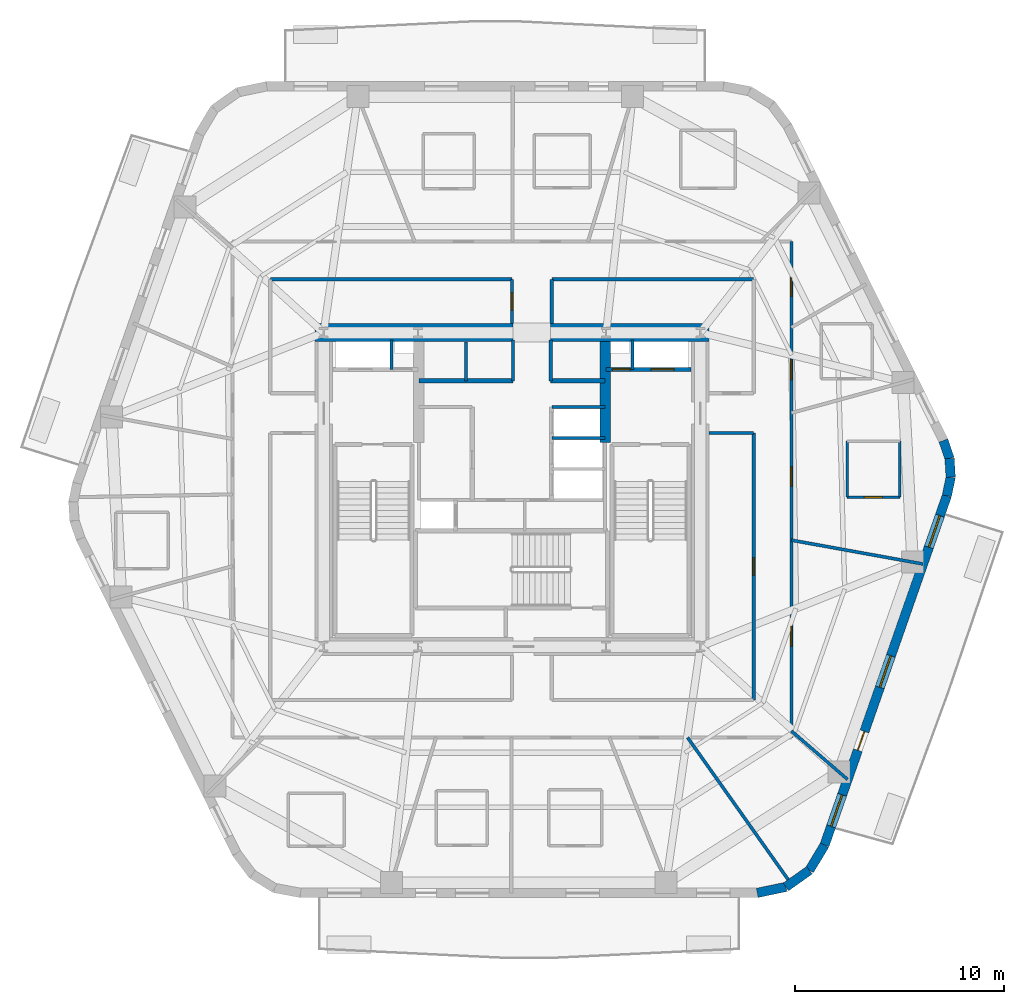
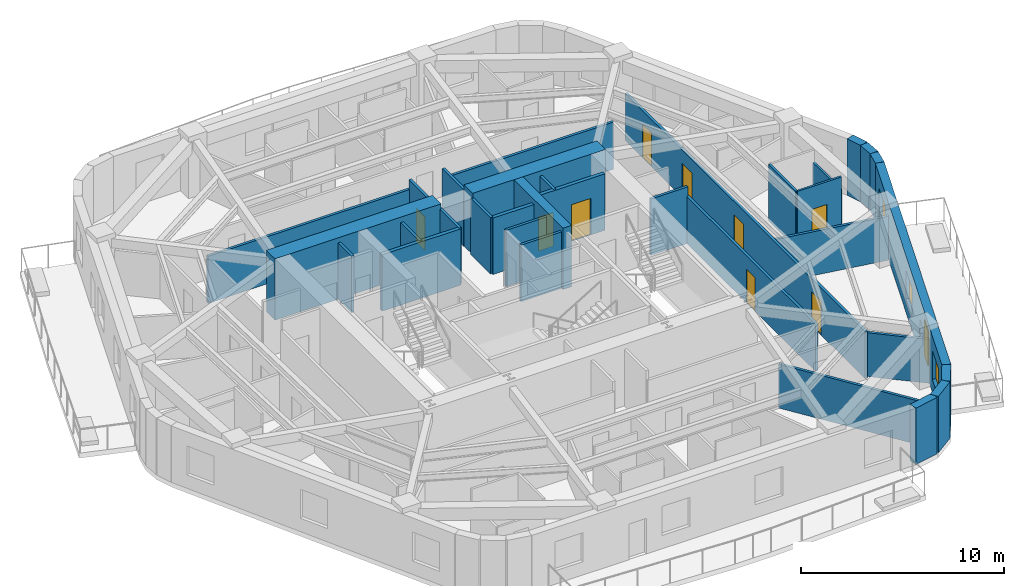
# One storey, part 5 of 11: 33 walls, 10 doors, 3 windows, 13 openings.
"""IFC4 building model written with IfcOpenShell, lengths in metres."""

from ifc_helpers import new_model, si_unit, direction, frame, frame_2d, origin, place, context, subcontext, project, spatial, rectangle, extrude, material, layer, layer_set, type_object, element, fill, save


model = new_model("IFC4")

# Units and contexts
model_context = context("Model", 3, precision=1e-05, world=origin(), true_north=direction((0.0, 1.0)))
body_context = subcontext(model_context, "Body", "Model", "MODEL_VIEW")
ifc_project = project(units=[si_unit("LENGTHUNIT", "METRE"), si_unit("AREAUNIT", "SQUARE_METRE"), si_unit("VOLUMEUNIT", "CUBIC_METRE"), si_unit("PLANEANGLEUNIT", "RADIAN"), si_unit("MASSUNIT", "GRAM", prefix="KILO")], contexts=[model_context])

# Site, building, storey
site_placement = place(None, origin())
site = spatial("IfcSite", under=ifc_project, at=site_placement, CompositionType="ELEMENT")
building_placement = place(site_placement, origin())
building = spatial("IfcBuilding", under=site, at=building_placement, Name="Kilnhurst Terrace Hotel", CompositionType="ELEMENT")
storey_placement = place(building_placement, frame((0.0, 0.0, 159.10009765625)))
storey = spatial("IfcBuildingStorey", under=building, at=storey_placement, Name="L39", CompositionType="ELEMENT", Elevation=159.10009765625)

# Walls
ifc_material_1 = material(Name="Precast concrete C40/50", Category="concrete")
ifc_layer_1 = layer(ifc_material_1, 0.449951171875, Name="Precast concrete C40/50")
ifc_layer_set_1 = layer_set([ifc_layer_1], Name="Precast concrete C40/50")
wall_type_1 = type_object("IfcWallType", Name="WL-BRK-450", PredefinedType="SOLIDWALL", material=ifc_layer_set_1)
wall_1_placement = place(storey_placement, frame((11.720458984375, -19.27490234375, 0.0), z_axis=(0.0, 0.0, 1.0), x_axis=(0.97893106758, 0.204191001093, 0.0)))
element("IfcWall", 1, at=wall_1_placement, inside=storey, type_object=wall_type_1, Name="L39 Rounded Corner Brick Wall C2.1", PredefinedType="SOLIDWALL", context=body_context, shape_type="SweptSolid", body=[
    extrude(rectangle(XDim=1.400146484375, YDim=0.449951171875, at=frame_2d((0.7001953125, 0.0))), origin(), (0.0, 0.0, 1.0), 3.39990234375),
])
wall_2_placement = place(storey_placement, frame((13.091064453125, -18.989013671875, 0.0), z_axis=(0.0, 0.0, 1.0), x_axis=(0.815574637848, 0.578651890258, 0.0)))
element("IfcWall", 2, at=wall_2_placement, inside=storey, type_object=wall_type_1, Name="L39 Rounded Corner Brick Wall C2.2", PredefinedType="SOLIDWALL", context=body_context, shape_type="SweptSolid", body=[
    extrude(rectangle(XDim=1.376708984375, YDim=0.449951171875, at=frame_2d((0.6884765625, 0.0))), origin(), (0.0, 0.0, 1.0), 3.39990234375),
])
wall_3_placement = place(storey_placement, frame((14.2138671875, -18.1923828125, 0.0), z_axis=(0.0, 0.0, 1.0), x_axis=(0.516340945502, 0.856383108193, 0.0)))
element("IfcWall", 3, at=wall_3_placement, inside=storey, type_object=wall_type_1, Name="L39 Rounded Corner Brick Wall C2.3", PredefinedType="SOLIDWALL", context=body_context, shape_type="SweptSolid", body=[
    extrude(rectangle(XDim=1.400146484375, YDim=0.449951171875, at=frame_2d((0.7001953125, 0.0))), origin(), (0.0, 0.0, 1.0), 3.39990234375),
])
wall_4_placement = place(storey_placement, frame((20.78173828125, -0.298095703125, 0.0), z_axis=(0.0, 0.0, 1.0), x_axis=(0.202570068411, 0.979267771033, 0.0)))
element("IfcWall", 4, at=wall_4_placement, inside=storey, type_object=wall_type_1, Name="L39 Rounded Corner Brick Wall C3.1", PredefinedType="SOLIDWALL", context=body_context, shape_type="SweptSolid", body=[
    extrude(rectangle(XDim=0.90869140625, YDim=0.449951171875, at=frame_2d((0.454345703125, 0.0))), origin(), (0.0, 0.0, 1.0), 3.39990234375),
])
wall_5_placement = place(storey_placement, frame((20.9658203125, 0.591796875, 0.0), z_axis=(0.0, 0.0, 1.0), x_axis=(-0.061748898935, 0.998091715966, 0.0)))
element("IfcWall", 5, at=wall_5_placement, inside=storey, type_object=wall_type_1, Name="L39 Rounded Corner Brick Wall C3.2", PredefinedType="SOLIDWALL", context=body_context, shape_type="SweptSolid", body=[
    extrude(rectangle(XDim=0.8935546875, YDim=0.449951171875, at=frame_2d((0.44677734375, 0.0))), origin(), (0.0, 0.0, 1.0), 3.39990234375),
])
wall_6_placement = place(storey_placement, frame((20.91064453125, 1.483642578125, 0.0), z_axis=(0.0, 0.0, 1.0), x_axis=(-0.321623334353, 0.946867694453, 0.0)))
element("IfcWall", 6, at=wall_6_placement, inside=storey, type_object=wall_type_1, Name="L39 Rounded Corner Brick Wall C3.3", PredefinedType="SOLIDWALL", context=body_context, shape_type="SweptSolid", body=[
    extrude(rectangle(XDim=0.90869140625, YDim=0.449951171875, at=frame_2d((0.454345703125, 0.0))), origin(), (0.0, 0.0, 1.0), 3.39990234375),
])

# Wall, openings, door, windows
wall_7_placement = place(storey_placement, frame((14.936767578125, -16.993408203125, 0.0), z_axis=(0.0, 0.0, 1.0), x_axis=(0.330431575061, 0.943829949834, 0.0)))
wall_7 = element("IfcWall", 7, at=wall_7_placement, inside=storey, type_object=wall_type_1, Name="L39 Exterior Brick Facade Wall F2", PredefinedType="SOLIDWALL", context=body_context, shape_type="SweptSolid", body=[
    extrude(rectangle(XDim=17.68896484375, YDim=0.449951171875, at=frame_2d((8.844482421875, 0.0))), origin(), (0.0, 0.0, 1.0), 3.39990234375),
])
opening_1_placement = place(wall_7_placement, frame((4.806884765625, 0.0, 0.0)))
opening_1 = element("IfcOpeningElement", 8, at=opening_1_placement, cuts=wall_7, Name="Opening BD-950", PredefinedType="OPENING", context=body_context, shape_type="SweptSolid", body=[
    extrude(rectangle(XDim=0.949951171875, YDim=2.14990234375, at=frame_2d((0.47509765625, 1.074951171875))), frame((0.0, 0.23486328125, 0.0), z_axis=(0.0, -1.0, 0.0), x_axis=(1.0, 0.0, 0.0)), (0.0, 0.0, 1.0), 0.469970703125),
])
opening_2_placement = place(wall_7_placement, frame((0.949951171875, 0.0, 0.800048828125)))
opening_2 = element("IfcOpeningElement", 9, at=opening_2_placement, cuts=wall_7, Name="Opening W-05", PredefinedType="OPENING", context=body_context, shape_type="SweptSolid", body=[
    extrude(rectangle(XDim=1.60009765625, YDim=1.75, at=frame_2d((0.800048828125, 0.875))), frame((0.0, 0.23486328125, 0.0), z_axis=(0.0, -1.0, 0.0), x_axis=(1.0, 0.0, 0.0)), (0.0, 0.0, 1.0), 0.469970703125),
])
opening_3_placement = place(wall_7_placement, frame((7.989990234375, 0.0, 0.800048828125)))
opening_3 = element("IfcOpeningElement", 10, at=opening_3_placement, cuts=wall_7, Name="Opening W-05", PredefinedType="OPENING", context=body_context, shape_type="SweptSolid", body=[
    extrude(rectangle(XDim=1.60009765625, YDim=1.75, at=frame_2d((0.800048828125, 0.875))), frame((0.0, 0.23486328125, 0.0), z_axis=(0.0, -1.0, 0.0), x_axis=(1.0, 0.0, 0.0)), (0.0, 0.0, 1.0), 0.469970703125),
])
opening_4_placement = place(wall_7_placement, frame((15.083984375, 0.0, 0.800048828125)))
opening_4 = element("IfcOpeningElement", 11, at=opening_4_placement, cuts=wall_7, Name="Opening W-05", PredefinedType="OPENING", context=body_context, shape_type="SweptSolid", body=[
    extrude(rectangle(XDim=1.60009765625, YDim=1.75, at=frame_2d((0.800048828125, 0.875))), frame((0.0, 0.23486328125, 0.0), z_axis=(0.0, -1.0, 0.0), x_axis=(1.0, 0.0, 0.0)), (0.0, 0.0, 1.0), 0.469970703125),
])
ifc_material_2 = material(Name="Thermally Broken Bronze Aluminium Alloy 6063-T6 and Laminated Glass", Category="aluminium")
door_type_1 = type_object("IfcDoorType", Name="DR-EXT-BAL-950", OperationType="NOTDEFINED", PredefinedType="DOOR", material=ifc_material_2)
door_1_placement = place(opening_1_placement, origin())
door_1 = element("IfcDoor", 12, at=door_1_placement, inside=storey, type_object=door_type_1, Name="L39 Planted Balcony Door BAL-L1B", OperationType="SINGLE_SWING_RIGHT", OverallHeight=2.14990234375, OverallWidth=0.949951171875, PredefinedType="DOOR", context=body_context, shape_type="SweptSolid", body=[
    extrude(rectangle(XDim=0.949951171875, YDim=2.14990234375, at=frame_2d((0.47509765625, 1.074951171875))), frame((0.0, 0.02490234375, 0.0), z_axis=(0.0, -1.0, 0.0), x_axis=(1.0, 0.0, 0.0)), (0.0, 0.0, 1.0), 0.050048828125),
])
fill(opening_1, door_1)
ifc_material_3 = material(Name="Thermally Broken Bronze Aluminium Alloy 6063-T6 and Low-E Glass", Category="aluminium")
window_type = type_object("IfcWindowType", Name="WIN-1600X1750", PartitioningType="SINGLE_PANEL", PredefinedType="WINDOW", material=ifc_material_3)
window_1_placement = place(opening_2_placement, origin())
window_1 = element("IfcWindow", 13, at=window_1_placement, inside=storey, type_object=window_type, Name="L39 Deep-Set Masonry Window F2.1", OverallHeight=1.75, OverallWidth=1.60009765625, PartitioningType="SINGLE_PANEL", PredefinedType="WINDOW", context=body_context, shape_type="SweptSolid", body=[
    extrude(rectangle(XDim=1.60009765625, YDim=1.75, at=frame_2d((0.800048828125, 0.875))), frame((0.0, 0.030029296875, 0.0), z_axis=(0.0, -1.0, 0.0), x_axis=(1.0, 0.0, 0.0)), (0.0, 0.0, 1.0), 0.06005859375),
])
fill(opening_2, window_1)
window_2_placement = place(opening_3_placement, origin())
window_2 = element("IfcWindow", 14, at=window_2_placement, inside=storey, type_object=window_type, Name="L39 Deep-Set Masonry Window F2.2", OverallHeight=1.75, OverallWidth=1.60009765625, PartitioningType="SINGLE_PANEL", PredefinedType="WINDOW", context=body_context, shape_type="SweptSolid", body=[
    extrude(rectangle(XDim=1.60009765625, YDim=1.75, at=frame_2d((0.800048828125, 0.875))), frame((0.0, 0.030029296875, 0.0), z_axis=(0.0, -1.0, 0.0), x_axis=(1.0, 0.0, 0.0)), (0.0, 0.0, 1.0), 0.06005859375),
])
fill(opening_3, window_2)
window_3_placement = place(opening_4_placement, origin())
window_3 = element("IfcWindow", 15, at=window_3_placement, inside=storey, type_object=window_type, Name="L39 Deep-Set Masonry Window F2.3", OverallHeight=1.75, OverallWidth=1.60009765625, PartitioningType="SINGLE_PANEL", PredefinedType="WINDOW", context=body_context, shape_type="SweptSolid", body=[
    extrude(rectangle(XDim=1.60009765625, YDim=1.75, at=frame_2d((0.800048828125, 0.875))), frame((0.0, 0.030029296875, 0.0), z_axis=(0.0, -1.0, 0.0), x_axis=(1.0, 0.0, 0.0)), (0.0, 0.0, 1.0), 0.06005859375),
])
fill(opening_4, window_3)

# Wall, openings, doors
ifc_material_4 = material(Name="Acoustic Double-Gypsum Corridor Partition Assembly")
ifc_layer_2 = layer(ifc_material_4, 0.14990234375, Name="Acoustic Double-Gypsum Corridor Partition Assembly")
ifc_layer_set_2 = layer_set([ifc_layer_2], Name="Acoustic Double-Gypsum Corridor Partition Assembly")
wall_type_2 = type_object("IfcWallType", Name="WL-COR-150", PredefinedType="PARTITIONING", material=ifc_layer_set_2)
wall_8_placement = place(storey_placement, frame((13.35009765625, 11.85009765625, 0.0), z_axis=(0.0, 0.0, 1.0), x_axis=(0.0, -1.0, 0.0)))
wall_8 = element("IfcWall", 16, at=wall_8_placement, inside=storey, type_object=wall_type_2, Name="L39 Interior Wall WL-L39-COR-04", PredefinedType="PARTITIONING", context=body_context, shape_type="SweptSolid", body=[
    extrude(rectangle(XDim=23.7001953125, YDim=0.14990234375, at=frame_2d((11.85009765625, 0.0))), origin(), (0.0, 0.0, 1.0), 2.83984375),
])
opening_5_placement = place(wall_8_placement, frame((5.652099609375, 0.0, 0.0)))
opening_5 = element("IfcOpeningElement", 17, at=opening_5_placement, cuts=wall_8, Name="Opening D-60B", PredefinedType="OPENING", context=body_context, shape_type="SweptSolid", body=[
    extrude(rectangle(XDim=0.949951171875, YDim=2.030029296875, at=frame_2d((0.47509765625, 1.01513671875))), frame((0.0, 0.0849609375, 0.0), z_axis=(0.0, -1.0, 0.0), x_axis=(1.0, 0.0, 0.0)), (0.0, 0.0, 1.0), 0.169921875),
])
opening_6_placement = place(wall_8_placement, frame((1.720947265625, 0.0, 0.0)))
opening_6 = element("IfcOpeningElement", 18, at=opening_6_placement, cuts=wall_8, Name="Opening D-60C", PredefinedType="OPENING", context=body_context, shape_type="SweptSolid", body=[
    extrude(rectangle(XDim=0.89990234375, YDim=2.030029296875, at=frame_2d((0.449951171875, 1.01513671875))), frame((0.0, 0.0849609375, 0.0), z_axis=(0.0, -1.0, 0.0), x_axis=(1.0, 0.0, 0.0)), (0.0, 0.0, 1.0), 0.169921875),
])
opening_7_placement = place(wall_8_placement, frame((18.388916015625, 0.0, 0.0)))
opening_7 = element("IfcOpeningElement", 19, at=opening_7_placement, cuts=wall_8, Name="Opening D-60B", PredefinedType="OPENING", context=body_context, shape_type="SweptSolid", body=[
    extrude(rectangle(XDim=0.949951171875, YDim=2.030029296875, at=frame_2d((0.47509765625, 1.01513671875))), frame((0.0, 0.0849609375, 0.0), z_axis=(0.0, -1.0, 0.0), x_axis=(1.0, 0.0, 0.0)), (0.0, 0.0, 1.0), 0.169921875),
])
opening_8_placement = place(wall_8_placement, frame((10.7509765625, 0.0, 0.0)))
opening_8 = element("IfcOpeningElement", 20, at=opening_8_placement, cuts=wall_8, Name="Opening D-60B", PredefinedType="OPENING", context=body_context, shape_type="SweptSolid", body=[
    extrude(rectangle(XDim=0.949951171875, YDim=2.030029296875, at=frame_2d((0.47509765625, 1.01513671875))), frame((0.0, 0.0849609375, 0.0), z_axis=(0.0, -1.0, 0.0), x_axis=(1.0, 0.0, 0.0)), (0.0, 0.0, 1.0), 0.169921875),
])
ifc_material_5 = material(Name="Painted Solid-Core Service Fire Door")
door_type_2 = type_object("IfcDoorType", Name="DR-FD60-900", OperationType="NOTDEFINED", PredefinedType="DOOR", material=ifc_material_5)
door_2_placement = place(opening_6_placement, origin())
door_2 = element("IfcDoor", 21, at=door_2_placement, inside=storey, type_object=door_type_2, Name="L39 Private Study Salon Door 2", OperationType="SINGLE_SWING_RIGHT", OverallHeight=2.030029296875, OverallWidth=0.89990234375, PredefinedType="DOOR", context=body_context, shape_type="SweptSolid", body=[
    extrude(rectangle(XDim=0.89990234375, YDim=2.030029296875, at=frame_2d((0.449951171875, 1.01513671875))), frame((0.0, 0.02490234375, 0.0), z_axis=(0.0, -1.0, 0.0), x_axis=(1.0, 0.0, 0.0)), (0.0, 0.0, 1.0), 0.050048828125),
])
fill(opening_6, door_2)
ifc_material_6 = material(Name="Acoustic Walnut Veneer Solid-Core Fire Door")
door_type_3 = type_object("IfcDoorType", Name="DR-FD60-950", OperationType="NOTDEFINED", PredefinedType="DOOR", material=ifc_material_6)
door_3_placement = place(opening_5_placement, origin())
door_3 = element("IfcDoor", 22, at=door_3_placement, inside=storey, type_object=door_type_3, Name="L39 Guest Room Entry Door 1", OperationType="SINGLE_SWING_LEFT", OverallHeight=2.030029296875, OverallWidth=0.949951171875, PredefinedType="DOOR", context=body_context, shape_type="SweptSolid", body=[
    extrude(rectangle(XDim=0.949951171875, YDim=2.030029296875, at=frame_2d((0.47509765625, 1.01513671875))), frame((0.0, 0.02490234375, 0.0), z_axis=(0.0, -1.0, 0.0), x_axis=(1.0, 0.0, 0.0)), (0.0, 0.0, 1.0), 0.050048828125),
])
fill(opening_5, door_3)
door_4_placement = place(opening_7_placement, origin())
door_4 = element("IfcDoor", 23, at=door_4_placement, inside=storey, type_object=door_type_3, Name="L39 Executive Office Door", OperationType="SINGLE_SWING_LEFT", OverallHeight=2.030029296875, OverallWidth=0.949951171875, PredefinedType="DOOR", context=body_context, shape_type="SweptSolid", body=[
    extrude(rectangle(XDim=0.949951171875, YDim=2.030029296875, at=frame_2d((0.47509765625, 1.01513671875))), frame((0.0, 0.02490234375, 0.0), z_axis=(0.0, -1.0, 0.0), x_axis=(1.0, 0.0, 0.0)), (0.0, 0.0, 1.0), 0.050048828125),
])
fill(opening_7, door_4)
door_5_placement = place(opening_8_placement, origin())
door_5 = element("IfcDoor", 24, at=door_5_placement, inside=storey, type_object=door_type_3, Name="L39 Guest Room Entry Door 18", OperationType="SINGLE_SWING_RIGHT", OverallHeight=2.030029296875, OverallWidth=0.949951171875, PredefinedType="DOOR", context=body_context, shape_type="SweptSolid", body=[
    extrude(rectangle(XDim=0.949951171875, YDim=2.030029296875, at=frame_2d((0.47509765625, 1.01513671875))), frame((0.0, 0.02490234375, 0.0), z_axis=(0.0, -1.0, 0.0), x_axis=(1.0, 0.0, 0.0)), (0.0, 0.0, 1.0), 0.050048828125),
])
fill(opening_8, door_5)

# Wall, opening, door
wall_9_placement = place(storey_placement, frame((11.550048828125, -10.050048828125, 0.0), z_axis=(0.0, 0.0, 1.0), x_axis=(0.0, 1.0, 0.0)))
wall_9 = element("IfcWall", 25, at=wall_9_placement, inside=storey, type_object=wall_type_2, Name="L39 Interior Wall WL-L39-COR-05", PredefinedType="PARTITIONING", context=body_context, shape_type="SweptSolid", body=[
    extrude(rectangle(XDim=12.75, YDim=0.14990234375, at=frame_2d((6.375, 0.0))), origin(), (0.0, 0.0, 1.0), 2.83984375),
])
opening_9_placement = place(wall_9_placement, frame((5.949951171875, 0.0, 0.0)))
opening_9 = element("IfcOpeningElement", 26, at=opening_9_placement, cuts=wall_9, Name="Opening D-60D", PredefinedType="OPENING", context=body_context, shape_type="SweptSolid", body=[
    extrude(rectangle(XDim=0.85009765625, YDim=2.030029296875, at=frame_2d((0.425048828125, 1.01513671875))), frame((0.0, 0.0849609375, 0.0), z_axis=(0.0, -1.0, 0.0), x_axis=(1.0, 0.0, 0.0)), (0.0, 0.0, 1.0), 0.169921875),
])
ifc_material_7 = material(Name="Painted Hollow Metal Steel ASTM A36 Riser Door", Category="steel")
door_type_4 = type_object("IfcDoorType", Name="DR-FD60-850", OperationType="NOTDEFINED", PredefinedType="DOOR", material=ifc_material_7)
door_6_placement = place(opening_9_placement, origin())
door_6 = element("IfcDoor", 27, at=door_6_placement, inside=storey, type_object=door_type_4, Name="L39 Floor Electrical Switch Room Door", OperationType="SINGLE_SWING_RIGHT", OverallHeight=2.030029296875, OverallWidth=0.85009765625, PredefinedType="DOOR", context=body_context, shape_type="SweptSolid", body=[
    extrude(rectangle(XDim=0.85009765625, YDim=2.030029296875, at=frame_2d((0.425048828125, 1.01513671875))), frame((0.0, 0.02490234375, 0.0), z_axis=(0.0, -1.0, 0.0), x_axis=(1.0, 0.0, 0.0)), (0.0, 0.0, 1.0), 0.050048828125),
])
fill(opening_9, door_6)

# Walls
wall_10_placement = place(storey_placement, frame((11.550048828125, 2.699951171875, 0.0), z_axis=(0.0, 0.0, 1.0), x_axis=(-1.0, 0.0, 0.0)))
element("IfcWall", 28, at=wall_10_placement, inside=storey, type_object=wall_type_2, Name="L39 Interior Wall WL-L39-COR-06", PredefinedType="PARTITIONING", context=body_context, shape_type="SweptSolid", body=[
    extrude(rectangle(XDim=2.125, YDim=0.14990234375, at=frame_2d((1.0625, 0.0))), origin(), (0.0, 0.0, 1.0), 3.39990234375),
])
wall_11_placement = place(storey_placement, frame((11.550048828125, 10.050048828125, 0.0), z_axis=(0.0, 0.0, 1.0), x_axis=(-1.0, 0.0, 0.0)))
element("IfcWall", 29, at=wall_11_placement, inside=storey, type_object=wall_type_2, Name="L39 Interior Wall WL-L39-COR-09", PredefinedType="PARTITIONING", context=body_context, shape_type="SweptSolid", body=[
    extrude(rectangle(XDim=9.650146484375, YDim=0.14990234375, at=frame_2d((4.8251953125, 0.0))), origin(), (0.0, 0.0, 1.0), 2.83984375),
])
wall_12_placement = place(storey_placement, frame((1.89990234375, 10.050048828125, 0.0), z_axis=(0.0, 0.0, 1.0), x_axis=(0.0, -1.0, 0.0)))
element("IfcWall", 30, at=wall_12_placement, inside=storey, type_object=wall_type_2, Name="L39 Interior Wall WL-L39-COR-10", PredefinedType="PARTITIONING", context=body_context, shape_type="SweptSolid", body=[
    extrude(rectangle(XDim=2.125, YDim=0.14990234375, at=frame_2d((1.0625, 0.0))), origin(), (0.0, 0.0, 1.0), 3.39990234375),
])

# Wall, opening, door
wall_13_placement = place(storey_placement, frame((0.0, 7.925048828125, 0.0), z_axis=(0.0, 0.0, 1.0), x_axis=(0.0, 1.0, 0.0)))
wall_13 = element("IfcWall", 31, at=wall_13_placement, inside=storey, type_object=wall_type_2, Name="L39 Interior Wall WL-L39-COR-11", PredefinedType="PARTITIONING", context=body_context, shape_type="SweptSolid", body=[
    extrude(rectangle(XDim=2.125, YDim=0.14990234375, at=frame_2d((1.0625, 0.0))), origin(), (0.0, 0.0, 1.0), 3.39990234375),
])
opening_10_placement = place(wall_13_placement, frame((0.637939453125, 0.0, 0.0)))
opening_10 = element("IfcOpeningElement", 32, at=opening_10_placement, cuts=wall_13, Name="Opening D-60D", PredefinedType="OPENING", context=body_context, shape_type="SweptSolid", body=[
    extrude(rectangle(XDim=0.85009765625, YDim=2.030029296875, at=frame_2d((0.425048828125, 1.01513671875))), frame((0.0, 0.0849609375, 0.0), z_axis=(0.0, -1.0, 0.0), x_axis=(1.0, 0.0, 0.0)), (0.0, 0.0, 1.0), 0.169921875),
])
door_7_placement = place(opening_10_placement, origin())
door_7 = element("IfcDoor", 33, at=door_7_placement, inside=storey, type_object=door_type_4, Name="L39 Floor Valet Equipment Store Door", OperationType="SINGLE_SWING_RIGHT", OverallHeight=2.030029296875, OverallWidth=0.85009765625, PredefinedType="DOOR", context=body_context, shape_type="SweptSolid", body=[
    extrude(rectangle(XDim=0.85009765625, YDim=2.030029296875, at=frame_2d((0.425048828125, 1.01513671875))), frame((0.0, 0.02490234375, 0.0), z_axis=(0.0, -1.0, 0.0), x_axis=(1.0, 0.0, 0.0)), (0.0, 0.0, 1.0), 0.050048828125),
])
fill(opening_10, door_7)

# Walls
wall_14_placement = place(storey_placement, frame((0.0, 10.050048828125, 0.0), z_axis=(0.0, 0.0, 1.0), x_axis=(-1.0, 0.0, 0.0)))
element("IfcWall", 34, at=wall_14_placement, inside=storey, type_object=wall_type_2, Name="L39 Interior Wall WL-L39-COR-12", PredefinedType="PARTITIONING", context=body_context, shape_type="SweptSolid", body=[
    extrude(rectangle(XDim=11.550048828125, YDim=0.14990234375, at=frame_2d((5.77490234375, 0.0))), origin(), (0.0, 0.0, 1.0), 2.83984375),
])
ifc_material_8 = material(Name="Concrete C80/95", Category="concrete")
ifc_layer_3 = layer(ifc_material_8, 0.85009765625, Name="Concrete C80/95")
ifc_layer_set_3 = layer_set([ifc_layer_3], Name="Concrete C80/95")
wall_type_3 = type_object("IfcWallType", Name="WL-CORE-850", PredefinedType="SHEAR", material=ifc_layer_set_3)
wall_15_placement = place(storey_placement, frame((-9.425048828125, 7.5, 0.0), z_axis=(0.0, 0.0, 1.0), x_axis=(1.0, 0.0, 0.0)))
element("IfcWall", 35, at=wall_15_placement, inside=storey, type_object=wall_type_3, Name="L39 Core North West Shear Wall", PredefinedType="SHEAR", context=body_context, shape_type="SweptSolid", body=[
    extrude(rectangle(XDim=9.47509765625, YDim=0.85009765625, at=frame_2d((4.737548828125, 0.0))), origin(), (0.0, 0.0, 1.0), 3.699951171875),
])
wall_16_placement = place(storey_placement, frame((1.85009765625, 7.5, 0.0), z_axis=(0.0, 0.0, 1.0), x_axis=(1.0, 0.0, 0.0)))
element("IfcWall", 36, at=wall_16_placement, inside=storey, type_object=wall_type_3, Name="L39 Core North East Shear Wall", PredefinedType="SHEAR", context=body_context, shape_type="SweptSolid", body=[
    extrude(rectangle(XDim=7.574951171875, YDim=0.85009765625, at=frame_2d((3.78759765625, 0.0))), origin(), (0.0, 0.0, 1.0), 3.699951171875),
])
ifc_material_9 = material(Name="Concrete C60/75", Category="concrete")
ifc_layer_4 = layer(ifc_material_9, 0.5, Name="Concrete C60/75")
ifc_layer_set_4 = layer_set([ifc_layer_4], Name="Concrete C60/75")
wall_type_4 = type_object("IfcWallType", Name="WL-CORE-WEB-500", PredefinedType="SHEAR", material=ifc_layer_set_4)
wall_17_placement = place(storey_placement, frame((4.449951171875, 2.25, 0.0), z_axis=(0.0, 0.0, 1.0), x_axis=(0.0, 1.0, 0.0)))
element("IfcWall", 37, at=wall_17_placement, inside=storey, type_object=wall_type_4, Name="L39 Core Internal East Shear Web", PredefinedType="SHEAR", context=body_context, shape_type="SweptSolid", body=[
    extrude(rectangle(XDim=4.824951171875, YDim=0.5, at=frame_2d((2.41259765625, 0.0))), origin(), (0.0, 0.0, 1.0), 3.699951171875),
])
ifc_material_10 = material(Name="STC-58 Acoustic Twin-Frame Guestroom Demising Partition")
ifc_layer_5 = layer(ifc_material_10, 0.14990234375, Name="STC-58 Acoustic Twin-Frame Guestroom Demising Partition")
ifc_layer_set_5 = layer_set([ifc_layer_5], Name="STC-58 Acoustic Twin-Frame Guestroom Demising Partition")
wall_type_5 = type_object("IfcWallType", Name="WL-DEM-150", PredefinedType="PARTITIONING", material=ifc_layer_set_5)
wall_18_placement = place(storey_placement, frame((8.390380859375, -11.85009765625, 0.0), z_axis=(0.0, 0.0, 1.0), x_axis=(0.577877530264, -0.816123495566, 0.0)))
element("IfcWall", 38, at=wall_18_placement, inside=storey, type_object=wall_type_5, Name="L39 Interior Wall WL-L39-DEM-MID10-16-1", PredefinedType="PARTITIONING", context=body_context, shape_type="SweptSolid", body=[
    extrude(rectangle(XDim=8.38232421875, YDim=0.14990234375, at=frame_2d((4.191162109375, 0.0))), origin(), (0.0, 0.0, 1.0), 2.639892578125),
])
wall_19_placement = place(storey_placement, frame((13.35009765625, -11.53271484375, 0.0), z_axis=(0.0, 0.0, 1.0), x_axis=(0.756711647314, -0.65374879183, 0.0)))
element("IfcWall", 39, at=wall_19_placement, inside=storey, type_object=wall_type_5, Name="L39 Interior Wall WL-L39-DEM-COL11-17-1", PredefinedType="PARTITIONING", context=body_context, shape_type="SweptSolid", body=[
    extrude(rectangle(XDim=3.549560546875, YDim=0.14990234375, at=frame_2d((1.77490234375, 0.0))), origin(), (0.0, 0.0, 1.0), 2.639892578125),
])
wall_20_placement = place(storey_placement, frame((13.35009765625, -2.417236328125, 0.0), z_axis=(0.0, 0.0, 1.0), x_axis=(0.98399796473, -0.178179699761, 0.0)))
element("IfcWall", 40, at=wall_20_placement, inside=storey, type_object=wall_type_5, Name="L39 Interior Wall WL-L39-DEM-COL12-18-1", PredefinedType="PARTITIONING", context=body_context, shape_type="SweptSolid", body=[
    extrude(rectangle(XDim=6.393310546875, YDim=0.14990234375, at=frame_2d((3.19677734375, 0.0))), origin(), (0.0, 0.0, 1.0), 2.639892578125),
])

# Wall, opening, door
ifc_material_11 = material(Name="120 mm Moisture-Resistant Tile-Backed Bathroom Partition")
ifc_layer_6 = layer(ifc_material_11, 0.1201171875, Name="120 mm Moisture-Resistant Tile-Backed Bathroom Partition")
ifc_layer_set_6 = layer_set([ifc_layer_6], Name="120 mm Moisture-Resistant Tile-Backed Bathroom Partition")
wall_type_6 = type_object("IfcWallType", Name="WL-PART-120", PredefinedType="PARTITIONING", material=ifc_layer_set_6)
wall_21_placement = place(storey_placement, frame((16.010009765625, -0.366943359375, 0.0), z_axis=(0.0, 0.0, 1.0), x_axis=(1.0, 0.0, 0.0)))
wall_21 = element("IfcWall", 41, at=wall_21_placement, inside=storey, type_object=wall_type_6, Name="L39 Interior Wall WL-L39-BTH-18-1", PredefinedType="PARTITIONING", context=body_context, shape_type="SweptSolid", body=[
    extrude(rectangle(XDim=2.52001953125, YDim=0.1201171875, at=frame_2d((1.260009765625, 0.0))), origin(), (0.0, 0.0, 1.0), 3.39990234375),
])
opening_11_placement = place(wall_21_placement, frame((0.8349609375, 0.0, 0.0)))
opening_11 = element("IfcOpeningElement", 42, at=opening_11_placement, cuts=wall_21, Name="Opening D-08A", PredefinedType="OPENING", context=body_context, shape_type="SweptSolid", body=[
    extrude(rectangle(XDim=0.85009765625, YDim=2.030029296875, at=frame_2d((0.425048828125, 1.01513671875))), frame((0.0, 0.070068359375, 0.0), z_axis=(0.0, -1.0, 0.0), x_axis=(1.0, 0.0, 0.0)), (0.0, 0.0, 1.0), 0.14013671875),
])
ifc_material_12 = material(Name="Moisture-Resistant Lacquered En-suite Bathroom Door")
door_type_5 = type_object("IfcDoorType", Name="DR-INT-850", OperationType="NOTDEFINED", PredefinedType="DOOR", material=ifc_material_12)
door_8_placement = place(opening_11_placement, origin())
door_8 = element("IfcDoor", 43, at=door_8_placement, inside=storey, type_object=door_type_5, Name="L39 En-suite Bathroom Door 18", OperationType="SINGLE_SWING_LEFT", OverallHeight=2.030029296875, OverallWidth=0.85009765625, PredefinedType="DOOR", context=body_context, shape_type="SweptSolid", body=[
    extrude(rectangle(XDim=0.85009765625, YDim=2.030029296875, at=frame_2d((0.425048828125, 1.01513671875))), frame((0.0, 0.02490234375, 0.0), z_axis=(0.0, -1.0, 0.0), x_axis=(1.0, 0.0, 0.0)), (0.0, 0.0, 1.0), 0.050048828125),
])
fill(opening_11, door_8)

# Walls
wall_22_placement = place(storey_placement, frame((18.530029296875, -0.366943359375, 0.0), z_axis=(0.0, 0.0, 1.0), x_axis=(0.0, 1.0, 0.0)))
element("IfcWall", 44, at=wall_22_placement, inside=storey, type_object=wall_type_6, Name="L39 Interior Wall WL-L39-BTH-18-2", PredefinedType="PARTITIONING", context=body_context, shape_type="SweptSolid", body=[
    extrude(rectangle(XDim=2.679931640625, YDim=0.1201171875, at=frame_2d((1.33984375, 0.0))), origin(), (0.0, 0.0, 1.0), 2.639892578125),
])
wall_23_placement = place(storey_placement, frame((16.010009765625, 2.31298828125, 0.0), z_axis=(0.0, 0.0, 1.0), x_axis=(0.0, -1.0, 0.0)))
element("IfcWall", 45, at=wall_23_placement, inside=storey, type_object=wall_type_6, Name="L39 Interior Wall WL-L39-BTH-18-4", PredefinedType="PARTITIONING", context=body_context, shape_type="SweptSolid", body=[
    extrude(rectangle(XDim=2.679931640625, YDim=0.1201171875, at=frame_2d((1.33984375, 0.0))), origin(), (0.0, 0.0, 1.0), 3.39990234375),
])
ifc_material_13 = material(Name="Fire-Rated Gypsum Shaftliner Assembly")
ifc_layer_7 = layer(ifc_material_13, 0.14990234375, Name="Fire-Rated Gypsum Shaftliner Assembly")
ifc_layer_set_7 = layer_set([ifc_layer_7], Name="Fire-Rated Gypsum Shaftliner Assembly")
wall_type_7 = type_object("IfcWallType", Name="WL-SHAFT-150", PredefinedType="PARTITIONING", material=ifc_layer_set_7)
for number, where, z_axis, x_axis, name in (
    (46, (-5.75, 5.739990234375, 0.0), (0.0, 0.0, 1.0), (0.0, 1.0, 0.0), "L39 Interior Wall WL-L39-RIS1-DIV"),
    (47, (5.75, 5.739990234375, 0.0), (0.0, 0.0, 1.0), (0.0, 1.0, 0.0), "L39 Interior Wall WL-L39-RIS2-DIV"),
):
    element("IfcWall", number, at=place(storey_placement, frame(where, z_axis=z_axis, x_axis=x_axis)), inside=storey, type_object=wall_type_7, Name=name, PredefinedType="PARTITIONING", context=body_context, shape_type="SweptSolid", body=[
        extrude(rectangle(XDim=1.409912109375, YDim=0.14990234375, at=frame_2d((0.705078125, 0.0))), origin(), (0.0, 0.0, 1.0), 3.39990234375),
    ])
wall_24_placement = place(storey_placement, frame((-2.199951171875, 5.199951171875, 0.0), z_axis=(0.0, 0.0, 1.0), x_axis=(0.0, 1.0, 0.0)))
element("IfcWall", 48, at=wall_24_placement, inside=storey, type_object=wall_type_7, Name="L39 Interior Wall WL-L39-HR-DIV1", PredefinedType="PARTITIONING", context=body_context, shape_type="SweptSolid", body=[
    extrude(rectangle(XDim=1.85009765625, YDim=0.14990234375, at=frame_2d((0.925048828125, 0.0))), origin(), (0.0, 0.0, 1.0), 3.39990234375),
])
for number, where, z_axis, x_axis, name in (
    (49, (0.050048828125, 5.199951171875, 0.0), (0.0, 0.0, 1.0), (0.0, 1.0, 0.0), "L39 Interior Wall WL-L39-HR-PORTAL-W"),
    (50, (1.85009765625, 5.199951171875, 0.0), (0.0, 0.0, 1.0), (0.0, 1.0, 0.0), "L39 Interior Wall WL-L39-HR-PORTAL-E"),
):
    element("IfcWall", number, at=place(storey_placement, frame(where, z_axis=z_axis, x_axis=x_axis)), inside=storey, type_object=wall_type_7, Name=name, PredefinedType="PARTITIONING", context=body_context, shape_type="SweptSolid", body=[
        extrude(rectangle(XDim=1.949951171875, YDim=0.14990234375, at=frame_2d((0.97509765625, 0.0))), origin(), (0.0, 0.0, 1.0), 3.39990234375),
    ])
for number, where, z_axis, x_axis, name in (
    (51, (1.89990234375, 3.93994140625, 0.0), (0.0, 0.0, 1.0), (1.0, 0.0, 0.0), "L39 Interior Wall WL-L39-MR-NORTH"),
    (52, (1.89990234375, 2.4599609375, 0.0), (0.0, 0.0, 1.0), (1.0, 0.0, 0.0), "L39 Interior Wall WL-L39-MR-D2"),
):
    element("IfcWall", number, at=place(storey_placement, frame(where, z_axis=z_axis, x_axis=x_axis)), inside=storey, type_object=wall_type_7, Name=name, PredefinedType="PARTITIONING", context=body_context, shape_type="SweptSolid", body=[
        extrude(rectangle(XDim=2.550048828125, YDim=0.14990234375, at=frame_2d((1.27490234375, 0.0))), origin(), (0.0, 0.0, 1.0), 3.39990234375),
    ])

# Wall, openings, doors
ifc_material_14 = material(Name="Autoclaved Aerated Concrete C30/37 and Gypsum Shaft Assembly", Category="concrete")
ifc_layer_8 = layer(ifc_material_14, 0.199951171875, Name="Autoclaved Aerated Concrete C30/37 and Gypsum Shaft Assembly")
ifc_layer_set_8 = layer_set([ifc_layer_8], Name="Autoclaved Aerated Concrete C30/37 and Gypsum Shaft Assembly")
wall_type_8 = type_object("IfcWallType", Name="WL-SHAFT-200", PredefinedType="PARTITIONING", material=ifc_layer_set_8)
wall_25_placement = place(storey_placement, frame((4.5, 5.739990234375, 0.0), z_axis=(0.0, 0.0, 1.0), x_axis=(1.0, 0.0, 0.0)))
wall_25 = element("IfcWall", 53, at=wall_25_placement, inside=storey, type_object=wall_type_8, Name="L39 Interior Wall WL-L39-FSAE2-S", PredefinedType="PARTITIONING", context=body_context, shape_type="SweptSolid", body=[
    extrude(rectangle(XDim=4.050048828125, YDim=0.199951171875, at=frame_2d((2.02490234375, 0.0))), origin(), (0.0, 0.0, 1.0), 3.39990234375),
])
opening_12_placement = place(wall_25_placement, frame((0.300048828125, 0.0, 0.0)))
opening_12 = element("IfcOpeningElement", 54, at=opening_12_placement, cuts=wall_25, Name="Opening D-60D", PredefinedType="OPENING", context=body_context, shape_type="SweptSolid", body=[
    extrude(rectangle(XDim=0.85009765625, YDim=2.030029296875, at=frame_2d((0.425048828125, 1.01513671875))), frame((0.0, 0.10986328125, 0.0), z_axis=(0.0, -1.0, 0.0), x_axis=(1.0, 0.0, 0.0)), (0.0, 0.0, 1.0), 0.219970703125),
])
opening_13_placement = place(wall_25_placement, frame((2.14990234375, 0.0, 0.0)))
opening_13 = element("IfcOpeningElement", 55, at=opening_13_placement, cuts=wall_25, Name="Opening LD-F2", PredefinedType="OPENING", context=body_context, shape_type="SweptSolid", body=[
    extrude(rectangle(XDim=1.10009765625, YDim=2.199951171875, at=frame_2d((0.550048828125, 1.10009765625))), frame((0.0, 0.10986328125, 0.0), z_axis=(0.0, -1.0, 0.0), x_axis=(1.0, 0.0, 0.0)), (0.0, 0.0, 1.0), 0.219970703125),
])
door_9_placement = place(opening_12_placement, origin())
door_9 = element("IfcDoor", 56, at=door_9_placement, inside=storey, type_object=door_type_4, Name="L39 Telecom Riser Door", OperationType="SINGLE_SWING_RIGHT", OverallHeight=2.030029296875, OverallWidth=0.85009765625, PredefinedType="DOOR", context=body_context, shape_type="SweptSolid", body=[
    extrude(rectangle(XDim=0.85009765625, YDim=2.030029296875, at=frame_2d((0.425048828125, 1.01513671875))), frame((0.0, 0.02490234375, 0.0), z_axis=(0.0, -1.0, 0.0), x_axis=(1.0, 0.0, 0.0)), (0.0, 0.0, 1.0), 0.050048828125),
])
fill(opening_12, door_9)
ifc_material_15 = material(Name="Bronze-Anodized Stainless Steel AISI 316L Sliding Door", Category="steel")
door_type_6 = type_object("IfcDoorType", Name="DR-LIFT-1100", OperationType="NOTDEFINED", PredefinedType="DOOR", material=ifc_material_15)
door_10_placement = place(opening_13_placement, origin())
door_10 = element("IfcDoor", 57, at=door_10_placement, inside=storey, type_object=door_type_6, Name="L39 FSAE-2 Landing Door", OperationType="SLIDING_TO_RIGHT", OverallHeight=2.199951171875, OverallWidth=1.10009765625, PredefinedType="DOOR", context=body_context, shape_type="SweptSolid", body=[
    extrude(rectangle(XDim=1.10009765625, YDim=2.199951171875, at=frame_2d((0.550048828125, 1.10009765625))), frame((0.0, 0.02490234375, 0.0), z_axis=(0.0, -1.0, 0.0), x_axis=(1.0, 0.0, 0.0)), (0.0, 0.0, 1.0), 0.050048828125),
])
fill(opening_13, door_10)

# Walls
wall_26_placement = place(storey_placement, frame((-4.449951171875, 5.199951171875, 0.0), z_axis=(0.0, 0.0, 1.0), x_axis=(1.0, 0.0, 0.0)))
element("IfcWall", 58, at=wall_26_placement, inside=storey, type_object=wall_type_8, Name="L39 Interior Wall WL-L39-HR-SW", PredefinedType="PARTITIONING", context=body_context, shape_type="SweptSolid", body=[
    extrude(rectangle(XDim=4.5, YDim=0.199951171875, at=frame_2d((2.25, 0.0))), origin(), (0.0, 0.0, 1.0), 3.39990234375),
])
wall_27_placement = place(storey_placement, frame((1.85009765625, 5.199951171875, 0.0), z_axis=(0.0, 0.0, 1.0), x_axis=(1.0, 0.0, 0.0)))
element("IfcWall", 59, at=wall_27_placement, inside=storey, type_object=wall_type_8, Name="L39 Interior Wall WL-L39-HR-SE", PredefinedType="PARTITIONING", context=body_context, shape_type="SweptSolid", body=[
    extrude(rectangle(XDim=2.599853515625, YDim=0.199951171875, at=frame_2d((1.2998046875, 0.0))), origin(), (0.0, 0.0, 1.0), 3.39990234375),
])

save(model, "model.ifc")
